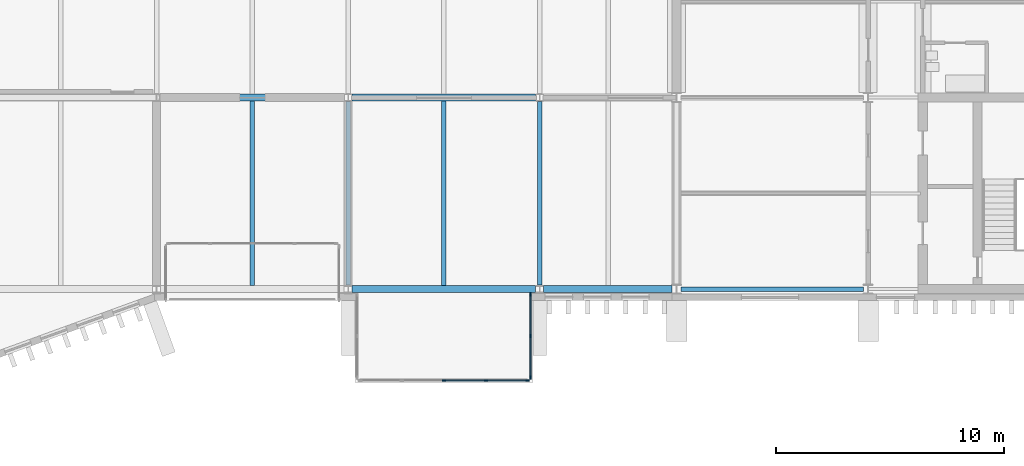
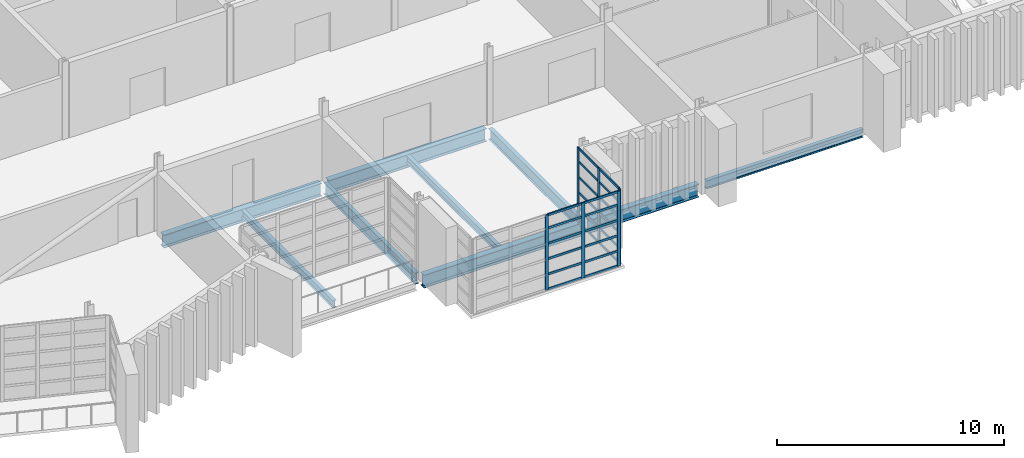
# One storey, part 40 of 100: 30 members, 9 beams, 2 elements without a shape of their own.
"""IFC4 building model written with IfcOpenShell, lengths in metres."""

from ifc_helpers import new_model, si_unit, direction, frame, origin, origin_2d, place, context, subcontext, project, spatial, rectangle, i_section, extrude, material, layer, layer_set, material_profile, profile_set, type_object, element, aggregate, save


model = new_model("IFC4")

# Units and contexts
model_context = context("Model", 3, precision=1e-05, world=origin(), true_north=direction((0.0, 1.0)))
body_context = subcontext(model_context, "Body", "Model", "MODEL_VIEW")
ifc_project = project(units=[si_unit("LENGTHUNIT", "METRE"), si_unit("AREAUNIT", "SQUARE_METRE"), si_unit("VOLUMEUNIT", "CUBIC_METRE"), si_unit("PLANEANGLEUNIT", "RADIAN"), si_unit("MASSUNIT", "GRAM", prefix="KILO")], contexts=[model_context])

# Site, building, storey
site_placement = place(None, origin())
site = spatial("IfcSite", under=ifc_project, at=site_placement, CompositionType="ELEMENT")
building_placement = place(site_placement, origin())
building = spatial("IfcBuilding", under=site, at=building_placement, Name="Cresset Court Congress Hotel", CompositionType="ELEMENT")
storey_placement = place(building_placement, frame((0.0, 0.0, 10.199951171875)))
storey = spatial("IfcBuildingStorey", under=building, at=storey_placement, Name="L02", CompositionType="ELEMENT", Elevation=10.199951171875)

# Curtain wall, members
ifc_material_1 = material(Name="Aluminium frame with double glazing", Category="aluminium")
ifc_layer = layer(ifc_material_1, 0.199951171875)
ifc_layer_set = layer_set([ifc_layer], Name="Glazed box curtain wall 1680 module")
curtain_wall_type = type_object("IfcCurtainWallType", Name="Glazed box curtain wall 1680 module", PredefinedType="NOTDEFINED", material=ifc_layer_set)
curtain_wall_1_placement = place(storey_placement, origin())
curtain_wall_1 = element("IfcCurtainWall", 1, at=curtain_wall_1_placement, inside=storey, type_object=curtain_wall_type, Name="Glazed box S0222 front", PredefinedType="NOTDEFINED")
ifc_material_2 = material(Name="Aluminium", Category="aluminium")
ifc_material_profile_1 = material_profile(ifc_material_2, rectangle(XDim=0.06005859375, YDim=0.159912109375, at=origin_2d()), Name="Box mullion 60x160")
ifc_profile_set_1 = profile_set([ifc_material_profile_1], Name="Aluminium")
member_type_1 = type_object("IfcMemberType", Name="Box mullion 60x160", PredefinedType="MULLION", material=ifc_profile_set_1)
member_1_placement = place(storey_placement, frame((147.0, -4.0, 0.0), z_axis=(0.0, 0.0, 1.0), x_axis=(0.0, 1.0, 0.0)))
member_1 = element("IfcMember", 2, at=member_1_placement, type_object=member_type_1, Name="B-X1 mullion 3", PredefinedType="MULLION", context=body_context, shape_type="SweptSolid", body=[
    extrude(rectangle(XDim=0.06005859375, YDim=0.159912109375, at=origin_2d()), origin(), (0.0, 0.0, 1.0), 4.050048828125),
])
member_2_placement = place(storey_placement, frame((148.85009765625, -4.0, 0.0), z_axis=(0.0, 0.0, 1.0), x_axis=(0.0, 1.0, 0.0)))
member_2 = element("IfcMember", 3, at=member_2_placement, type_object=member_type_1, Name="B-X1 mullion 4", PredefinedType="MULLION", context=body_context, shape_type="SweptSolid", body=[
    extrude(rectangle(XDim=0.06005859375, YDim=0.159912109375, at=origin_2d()), origin(), (0.0, 0.0, 1.0), 4.050048828125),
])
member_3_placement = place(storey_placement, frame((150.669921875, -4.0, 0.0), z_axis=(0.0, 0.0, 1.0), x_axis=(0.0, 1.0, 0.0)))
member_3 = element("IfcMember", 4, at=member_3_placement, type_object=member_type_1, Name="B-X1 mullion 5", PredefinedType="MULLION", context=body_context, shape_type="SweptSolid", body=[
    extrude(rectangle(XDim=0.06005859375, YDim=0.159912109375, at=origin_2d()), origin(), (0.0, 0.0, 1.0), 4.050048828125),
])

curtain_wall_2_placement = place(storey_placement, origin())
curtain_wall_2 = element("IfcCurtainWall", 5, at=curtain_wall_2_placement, inside=storey, type_object=curtain_wall_type, Name="Glazed box S0222 side", PredefinedType="NOTDEFINED")
member_4_placement = place(storey_placement, frame((150.800048828125, -0.22998046875, 0.0), z_axis=(0.0, 0.0, 1.0), x_axis=(1.0, 0.0, 0.0)))
member_4 = element("IfcMember", 6, at=member_4_placement, type_object=member_type_1, Name="B-X1 mullion 1", PredefinedType="MULLION", context=body_context, shape_type="SweptSolid", body=[
    extrude(rectangle(XDim=0.06005859375, YDim=0.159912109375, at=origin_2d()), origin(), (0.0, 0.0, 1.0), 4.050048828125),
])
member_5_placement = place(storey_placement, frame((150.800048828125, -2.050048828125, 0.0), z_axis=(0.0, 0.0, 1.0), x_axis=(1.0, 0.0, 0.0)))
member_5 = element("IfcMember", 7, at=member_5_placement, type_object=member_type_1, Name="B-X1 mullion 2", PredefinedType="MULLION", context=body_context, shape_type="SweptSolid", body=[
    extrude(rectangle(XDim=0.06005859375, YDim=0.159912109375, at=origin_2d()), origin(), (0.0, 0.0, 1.0), 4.050048828125),
])
member_6_placement = place(storey_placement, frame((150.800048828125, -3.8701171875, 0.0), z_axis=(0.0, 0.0, 1.0), x_axis=(1.0, 0.0, 0.0)))
member_6 = element("IfcMember", 8, at=member_6_placement, type_object=member_type_1, Name="B-X1 mullion 3", PredefinedType="MULLION", context=body_context, shape_type="SweptSolid", body=[
    extrude(rectangle(XDim=0.06005859375, YDim=0.159912109375, at=origin_2d()), origin(), (0.0, 0.0, 1.0), 4.050048828125),
])

# Member
ifc_material_3 = material(Name="Aluminium", Category="aluminium")
ifc_material_profile_2 = material_profile(ifc_material_3, rectangle(XDim=0.06005859375, YDim=0.1201171875, at=origin_2d()), Name="Box transom 60x120")
ifc_profile_set_2 = profile_set([ifc_material_profile_2], Name="Aluminium")
member_type_2 = type_object("IfcMemberType", Name="Box transom 60x120", PredefinedType="USERDEFINED", material=ifc_profile_set_2)
member_7_placement = place(storey_placement, frame((147.030029296875, -4.0, 0.030029296875), z_axis=(1.0, 0.0, 0.0), x_axis=(0.0, 1.0, 0.0)))
member_7 = element("IfcMember", 9, at=member_7_placement, type_object=member_type_2, Name="B-X1 transom 3.1", ObjectType="TRANSOM", PredefinedType="USERDEFINED", context=body_context, shape_type="SweptSolid", body=[
    extrude(rectangle(XDim=0.06005859375, YDim=0.1201171875, at=origin_2d()), origin(), (0.0, 0.0, 1.0), 1.7900390625),
])

member_8_placement = place(storey_placement, frame((147.030029296875, -4.0, 0.830078125), z_axis=(1.0, 0.0, 0.0), x_axis=(0.0, 1.0, 0.0)))
member_8 = element("IfcMember", 10, at=member_8_placement, type_object=member_type_2, Name="B-X1 transom 3.2", ObjectType="TRANSOM", PredefinedType="USERDEFINED", context=body_context, shape_type="SweptSolid", body=[
    extrude(rectangle(XDim=0.06005859375, YDim=0.1201171875, at=origin_2d()), origin(), (0.0, 0.0, 1.0), 1.7900390625),
])

member_9_placement = place(storey_placement, frame((147.030029296875, -4.0, 1.66015625), z_axis=(1.0, 0.0, 0.0), x_axis=(0.0, 1.0, 0.0)))
member_9 = element("IfcMember", 11, at=member_9_placement, type_object=member_type_2, Name="B-X1 transom 3.3", ObjectType="TRANSOM", PredefinedType="USERDEFINED", context=body_context, shape_type="SweptSolid", body=[
    extrude(rectangle(XDim=0.06005859375, YDim=0.1201171875, at=origin_2d()), origin(), (0.0, 0.0, 1.0), 1.7900390625),
])

member_10_placement = place(storey_placement, frame((147.030029296875, -4.0, 2.489990234375), z_axis=(1.0, 0.0, 0.0), x_axis=(0.0, 1.0, 0.0)))
member_10 = element("IfcMember", 12, at=member_10_placement, type_object=member_type_2, Name="B-X1 transom 3.4", ObjectType="TRANSOM", PredefinedType="USERDEFINED", context=body_context, shape_type="SweptSolid", body=[
    extrude(rectangle(XDim=0.06005859375, YDim=0.1201171875, at=origin_2d()), origin(), (0.0, 0.0, 1.0), 1.7900390625),
])

member_11_placement = place(storey_placement, frame((147.030029296875, -4.0, 3.320068359375), z_axis=(1.0, 0.0, 0.0), x_axis=(0.0, 1.0, 0.0)))
member_11 = element("IfcMember", 13, at=member_11_placement, type_object=member_type_2, Name="B-X1 transom 3.5", ObjectType="TRANSOM", PredefinedType="USERDEFINED", context=body_context, shape_type="SweptSolid", body=[
    extrude(rectangle(XDim=0.06005859375, YDim=0.1201171875, at=origin_2d()), origin(), (0.0, 0.0, 1.0), 1.7900390625),
])

member_12_placement = place(storey_placement, frame((147.030029296875, -4.0, 4.02001953125), z_axis=(1.0, 0.0, 0.0), x_axis=(0.0, 1.0, 0.0)))
member_12 = element("IfcMember", 14, at=member_12_placement, type_object=member_type_2, Name="B-X1 transom 3.6", ObjectType="TRANSOM", PredefinedType="USERDEFINED", context=body_context, shape_type="SweptSolid", body=[
    extrude(rectangle(XDim=0.06005859375, YDim=0.1201171875, at=origin_2d()), origin(), (0.0, 0.0, 1.0), 1.7900390625),
])

member_13_placement = place(storey_placement, frame((148.8798828125, -4.0, 0.030029296875), z_axis=(1.0, 0.0, 0.0), x_axis=(0.0, 1.0, 0.0)))
member_13 = element("IfcMember", 15, at=member_13_placement, type_object=member_type_2, Name="B-X1 transom 4.1", ObjectType="TRANSOM", PredefinedType="USERDEFINED", context=body_context, shape_type="SweptSolid", body=[
    extrude(rectangle(XDim=0.06005859375, YDim=0.1201171875, at=origin_2d()), origin(), (0.0, 0.0, 1.0), 1.760009765625),
])

member_14_placement = place(storey_placement, frame((148.8798828125, -4.0, 0.830078125), z_axis=(1.0, 0.0, 0.0), x_axis=(0.0, 1.0, 0.0)))
member_14 = element("IfcMember", 16, at=member_14_placement, type_object=member_type_2, Name="B-X1 transom 4.2", ObjectType="TRANSOM", PredefinedType="USERDEFINED", context=body_context, shape_type="SweptSolid", body=[
    extrude(rectangle(XDim=0.06005859375, YDim=0.1201171875, at=origin_2d()), origin(), (0.0, 0.0, 1.0), 1.760009765625),
])

member_15_placement = place(storey_placement, frame((148.8798828125, -4.0, 1.66015625), z_axis=(1.0, 0.0, 0.0), x_axis=(0.0, 1.0, 0.0)))
member_15 = element("IfcMember", 17, at=member_15_placement, type_object=member_type_2, Name="B-X1 transom 4.3", ObjectType="TRANSOM", PredefinedType="USERDEFINED", context=body_context, shape_type="SweptSolid", body=[
    extrude(rectangle(XDim=0.06005859375, YDim=0.1201171875, at=origin_2d()), origin(), (0.0, 0.0, 1.0), 1.760009765625),
])

member_16_placement = place(storey_placement, frame((148.8798828125, -4.0, 2.489990234375), z_axis=(1.0, 0.0, 0.0), x_axis=(0.0, 1.0, 0.0)))
member_16 = element("IfcMember", 18, at=member_16_placement, type_object=member_type_2, Name="B-X1 transom 4.4", ObjectType="TRANSOM", PredefinedType="USERDEFINED", context=body_context, shape_type="SweptSolid", body=[
    extrude(rectangle(XDim=0.06005859375, YDim=0.1201171875, at=origin_2d()), origin(), (0.0, 0.0, 1.0), 1.760009765625),
])

member_17_placement = place(storey_placement, frame((148.8798828125, -4.0, 3.320068359375), z_axis=(1.0, 0.0, 0.0), x_axis=(0.0, 1.0, 0.0)))
member_17 = element("IfcMember", 19, at=member_17_placement, type_object=member_type_2, Name="B-X1 transom 4.5", ObjectType="TRANSOM", PredefinedType="USERDEFINED", context=body_context, shape_type="SweptSolid", body=[
    extrude(rectangle(XDim=0.06005859375, YDim=0.1201171875, at=origin_2d()), origin(), (0.0, 0.0, 1.0), 1.760009765625),
])

member_18_placement = place(storey_placement, frame((148.8798828125, -4.0, 4.02001953125), z_axis=(1.0, 0.0, 0.0), x_axis=(0.0, 1.0, 0.0)))
member_18 = element("IfcMember", 20, at=member_18_placement, type_object=member_type_2, Name="B-X1 transom 4.6", ObjectType="TRANSOM", PredefinedType="USERDEFINED", context=body_context, shape_type="SweptSolid", body=[
    extrude(rectangle(XDim=0.06005859375, YDim=0.1201171875, at=origin_2d()), origin(), (0.0, 0.0, 1.0), 1.760009765625),
])

aggregate(curtain_wall_1, [member_1, member_2, member_3, member_7, member_8, member_9, member_10, member_11, member_12, member_13, member_14, member_15, member_16, member_17, member_18])

member_19_placement = place(storey_placement, frame((150.800048828125, -0.260009765625, 0.030029296875), z_axis=(0.0, -1.0, 0.0), x_axis=(1.0, 0.0, 0.0)))
member_19 = element("IfcMember", 21, at=member_19_placement, type_object=member_type_2, Name="B-X1 transom 1.1", ObjectType="TRANSOM", PredefinedType="USERDEFINED", context=body_context, shape_type="SweptSolid", body=[
    extrude(rectangle(XDim=0.06005859375, YDim=0.1201171875, at=origin_2d()), origin(), (0.0, 0.0, 1.0), 1.760009765625),
])

member_20_placement = place(storey_placement, frame((150.800048828125, -0.260009765625, 0.830078125), z_axis=(0.0, -1.0, 0.0), x_axis=(1.0, 0.0, 0.0)))
member_20 = element("IfcMember", 22, at=member_20_placement, type_object=member_type_2, Name="B-X1 transom 1.2", ObjectType="TRANSOM", PredefinedType="USERDEFINED", context=body_context, shape_type="SweptSolid", body=[
    extrude(rectangle(XDim=0.06005859375, YDim=0.1201171875, at=origin_2d()), origin(), (0.0, 0.0, 1.0), 1.760009765625),
])

member_21_placement = place(storey_placement, frame((150.800048828125, -0.260009765625, 1.66015625), z_axis=(0.0, -1.0, 0.0), x_axis=(1.0, 0.0, 0.0)))
member_21 = element("IfcMember", 23, at=member_21_placement, type_object=member_type_2, Name="B-X1 transom 1.3", ObjectType="TRANSOM", PredefinedType="USERDEFINED", context=body_context, shape_type="SweptSolid", body=[
    extrude(rectangle(XDim=0.06005859375, YDim=0.1201171875, at=origin_2d()), origin(), (0.0, 0.0, 1.0), 1.760009765625),
])

member_22_placement = place(storey_placement, frame((150.800048828125, -0.260009765625, 2.489990234375), z_axis=(0.0, -1.0, 0.0), x_axis=(1.0, 0.0, 0.0)))
member_22 = element("IfcMember", 24, at=member_22_placement, type_object=member_type_2, Name="B-X1 transom 1.4", ObjectType="TRANSOM", PredefinedType="USERDEFINED", context=body_context, shape_type="SweptSolid", body=[
    extrude(rectangle(XDim=0.06005859375, YDim=0.1201171875, at=origin_2d()), origin(), (0.0, 0.0, 1.0), 1.760009765625),
])

member_23_placement = place(storey_placement, frame((150.800048828125, -0.260009765625, 3.320068359375), z_axis=(0.0, -1.0, 0.0), x_axis=(1.0, 0.0, 0.0)))
member_23 = element("IfcMember", 25, at=member_23_placement, type_object=member_type_2, Name="B-X1 transom 1.5", ObjectType="TRANSOM", PredefinedType="USERDEFINED", context=body_context, shape_type="SweptSolid", body=[
    extrude(rectangle(XDim=0.06005859375, YDim=0.1201171875, at=origin_2d()), origin(), (0.0, 0.0, 1.0), 1.760009765625),
])

member_24_placement = place(storey_placement, frame((150.800048828125, -0.260009765625, 4.02001953125), z_axis=(0.0, -1.0, 0.0), x_axis=(1.0, 0.0, 0.0)))
member_24 = element("IfcMember", 26, at=member_24_placement, type_object=member_type_2, Name="B-X1 transom 1.6", ObjectType="TRANSOM", PredefinedType="USERDEFINED", context=body_context, shape_type="SweptSolid", body=[
    extrude(rectangle(XDim=0.06005859375, YDim=0.1201171875, at=origin_2d()), origin(), (0.0, 0.0, 1.0), 1.760009765625),
])

member_25_placement = place(storey_placement, frame((150.800048828125, -2.080078125, 0.030029296875), z_axis=(0.0, -1.0, 0.0), x_axis=(1.0, 0.0, 0.0)))
member_25 = element("IfcMember", 27, at=member_25_placement, type_object=member_type_2, Name="B-X1 transom 2.1", ObjectType="TRANSOM", PredefinedType="USERDEFINED", context=body_context, shape_type="SweptSolid", body=[
    extrude(rectangle(XDim=0.06005859375, YDim=0.1201171875, at=origin_2d()), origin(), (0.0, 0.0, 1.0), 1.760009765625),
])

member_26_placement = place(storey_placement, frame((150.800048828125, -2.080078125, 0.830078125), z_axis=(0.0, -1.0, 0.0), x_axis=(1.0, 0.0, 0.0)))
member_26 = element("IfcMember", 28, at=member_26_placement, type_object=member_type_2, Name="B-X1 transom 2.2", ObjectType="TRANSOM", PredefinedType="USERDEFINED", context=body_context, shape_type="SweptSolid", body=[
    extrude(rectangle(XDim=0.06005859375, YDim=0.1201171875, at=origin_2d()), origin(), (0.0, 0.0, 1.0), 1.760009765625),
])

member_27_placement = place(storey_placement, frame((150.800048828125, -2.080078125, 1.66015625), z_axis=(0.0, -1.0, 0.0), x_axis=(1.0, 0.0, 0.0)))
member_27 = element("IfcMember", 29, at=member_27_placement, type_object=member_type_2, Name="B-X1 transom 2.3", ObjectType="TRANSOM", PredefinedType="USERDEFINED", context=body_context, shape_type="SweptSolid", body=[
    extrude(rectangle(XDim=0.06005859375, YDim=0.1201171875, at=origin_2d()), origin(), (0.0, 0.0, 1.0), 1.760009765625),
])

member_28_placement = place(storey_placement, frame((150.800048828125, -2.080078125, 2.489990234375), z_axis=(0.0, -1.0, 0.0), x_axis=(1.0, 0.0, 0.0)))
member_28 = element("IfcMember", 30, at=member_28_placement, type_object=member_type_2, Name="B-X1 transom 2.4", ObjectType="TRANSOM", PredefinedType="USERDEFINED", context=body_context, shape_type="SweptSolid", body=[
    extrude(rectangle(XDim=0.06005859375, YDim=0.1201171875, at=origin_2d()), origin(), (0.0, 0.0, 1.0), 1.760009765625),
])

member_29_placement = place(storey_placement, frame((150.800048828125, -2.080078125, 3.320068359375), z_axis=(0.0, -1.0, 0.0), x_axis=(1.0, 0.0, 0.0)))
member_29 = element("IfcMember", 31, at=member_29_placement, type_object=member_type_2, Name="B-X1 transom 2.5", ObjectType="TRANSOM", PredefinedType="USERDEFINED", context=body_context, shape_type="SweptSolid", body=[
    extrude(rectangle(XDim=0.06005859375, YDim=0.1201171875, at=origin_2d()), origin(), (0.0, 0.0, 1.0), 1.760009765625),
])

member_30_placement = place(storey_placement, frame((150.800048828125, -2.080078125, 4.02001953125), z_axis=(0.0, -1.0, 0.0), x_axis=(1.0, 0.0, 0.0)))
member_30 = element("IfcMember", 32, at=member_30_placement, type_object=member_type_2, Name="B-X1 transom 2.6", ObjectType="TRANSOM", PredefinedType="USERDEFINED", context=body_context, shape_type="SweptSolid", body=[
    extrude(rectangle(XDim=0.06005859375, YDim=0.1201171875, at=origin_2d()), origin(), (0.0, 0.0, 1.0), 1.760009765625),
])

aggregate(curtain_wall_2, [member_4, member_5, member_6, member_19, member_20, member_21, member_22, member_23, member_24, member_25, member_26, member_27, member_28, member_29, member_30])

# Beams
ifc_material_4 = material(Name="Structural steel Q355B", Category="steel")
ifc_material_profile_3 = material_profile(ifc_material_4, i_section(OverallWidth=0.198974609375, OverallDepth=0.446044921875, WebThickness=0.008056640625, FlangeThickness=0.011962890625, FilletRadius=0.012939453125, at=origin_2d()), Name="HN446x199x8x12")
ifc_profile_set_3 = profile_set([ifc_material_profile_3], Name="Structural steel Q355B")
beam_type_1 = type_object("IfcBeamType", Name="Steel beam HN446x199x8x12", PredefinedType="BEAM", material=ifc_profile_set_3)
beam_1_placement = place(storey_placement, frame((157.403564453125, 0.0, -0.373046875), z_axis=(1.0, 0.0, 0.0), x_axis=(0.0, 1.0, 0.0)))
element("IfcBeam", 33, at=beam_1_placement, inside=storey, type_object=beam_type_1, Name="A.bm.L02.W.frame0.0", PredefinedType="BEAM", context=body_context, shape_type="SweptSolid", body=[
    extrude(i_section(OverallWidth=0.198974609375, OverallDepth=0.446044921875, WebThickness=0.008056640625, FlangeThickness=0.011962890625, FilletRadius=0.012939453125, at=origin_2d()), origin(), (0.0, 0.0, 1.0), 7.992919921875),
])
ifc_material_5 = material(Name="Structural steel Q355B", Category="steel")
ifc_material_profile_4 = material_profile(ifc_material_5, i_section(OverallWidth=0.199951171875, OverallDepth=0.60009765625, WebThickness=0.010986328125, FlangeThickness=0.01708984375, FilletRadius=0.012939453125, at=origin_2d()), Name="HN600x200x11x17")
ifc_profile_set_4 = profile_set([ifc_material_profile_4], Name="Structural steel Q355B")
beam_type_2 = type_object("IfcBeamType", Name="Steel beam HN600x200x11x17", PredefinedType="BEAM", material=ifc_profile_set_4)
for number, where, z_axis, x_axis, name in (
    (34, (142.800048828125, 0.175048828125, -0.449951171875), (0.0, 1.0, 0.0), (-1.0, 0.0, 0.0), "B.by.L02.18A"),
    (35, (151.199951171875, 0.175048828125, -0.449951171875), (0.0, 1.0, 0.0), (-1.0, 0.0, 0.0), "B.by.L02.19A"),
):
    element("IfcBeam", number, at=place(storey_placement, frame(where, z_axis=z_axis, x_axis=x_axis)), inside=storey, type_object=beam_type_2, Name=name, PredefinedType="BEAM", context=body_context, shape_type="SweptSolid", body=[
        extrude(i_section(OverallWidth=0.199951171875, OverallDepth=0.60009765625, WebThickness=0.010986328125, FlangeThickness=0.01708984375, FilletRadius=0.012939453125, at=origin_2d()), origin(), (0.0, 0.0, 1.0), 8.050048828125),
    ])
ifc_material_6 = material(Name="Structural steel Q355B", Category="steel")
ifc_material_profile_5 = material_profile(ifc_material_6, i_section(OverallWidth=0.300048828125, OverallDepth=0.699951171875, WebThickness=0.012939453125, FlangeThickness=0.02392578125, FilletRadius=0.01806640625, at=origin_2d()), Name="HN700x300x13x24")
ifc_profile_set_5 = profile_set([ifc_material_profile_5], Name="Structural steel Q355B")
beam_type_3 = type_object("IfcBeamType", Name="Steel beam HN700x300x13x24", PredefinedType="BEAM", material=ifc_profile_set_5)
beam_2_placement = place(storey_placement, frame((142.97509765625, 0.0, -0.5), z_axis=(1.0, 0.0, 0.0), x_axis=(0.0, 1.0, 0.0)))
element("IfcBeam", 36, at=beam_2_placement, inside=storey, type_object=beam_type_3, Name="B.bx.L02.A18", PredefinedType="BEAM", context=body_context, shape_type="SweptSolid", body=[
    extrude(i_section(OverallWidth=0.300048828125, OverallDepth=0.699951171875, WebThickness=0.012939453125, FlangeThickness=0.02392578125, FilletRadius=0.01806640625, at=origin_2d()), origin(), (0.0, 0.0, 1.0), 8.0498046875),
])
beam_3_placement = place(storey_placement, frame((151.375, 0.0, -0.5), z_axis=(1.0, 0.0, 0.0), x_axis=(0.0, 1.0, 0.0)))
element("IfcBeam", 37, at=beam_3_placement, inside=storey, type_object=beam_type_3, Name="B.bx.L02.A19", PredefinedType="BEAM", context=body_context, shape_type="SweptSolid", body=[
    extrude(i_section(OverallWidth=0.300048828125, OverallDepth=0.699951171875, WebThickness=0.012939453125, FlangeThickness=0.02392578125, FilletRadius=0.01806640625, at=origin_2d()), origin(), (0.0, 0.0, 1.0), 5.625),
])
beam_4_placement = place(storey_placement, frame((134.574951171875, 8.39990234375, -0.5), z_axis=(1.0, 0.0, 0.0), x_axis=(0.0, 1.0, 0.0)))
element("IfcBeam", 38, at=beam_4_placement, inside=storey, type_object=beam_type_3, Name="B.bx.L02.B17", PredefinedType="BEAM", context=body_context, shape_type="SweptSolid", body=[
    extrude(i_section(OverallWidth=0.300048828125, OverallDepth=0.699951171875, WebThickness=0.012939453125, FlangeThickness=0.02392578125, FilletRadius=0.01806640625, at=origin_2d()), origin(), (0.0, 0.0, 1.0), 8.050048828125),
])
beam_5_placement = place(storey_placement, frame((142.97509765625, 8.39990234375, -0.5), z_axis=(1.0, 0.0, 0.0), x_axis=(0.0, 1.0, 0.0)))
element("IfcBeam", 39, at=beam_5_placement, inside=storey, type_object=beam_type_3, Name="B.bx.L02.B18", PredefinedType="BEAM", context=body_context, shape_type="SweptSolid", body=[
    extrude(i_section(OverallWidth=0.300048828125, OverallDepth=0.699951171875, WebThickness=0.012939453125, FlangeThickness=0.02392578125, FilletRadius=0.01806640625, at=origin_2d()), origin(), (0.0, 0.0, 1.0), 8.0498046875),
])
ifc_material_7 = material(Name="Structural steel Q355B", Category="steel")
ifc_material_profile_6 = material_profile(ifc_material_7, i_section(OverallWidth=0.199951171875, OverallDepth=0.39990234375, WebThickness=0.008056640625, FlangeThickness=0.012939453125, FilletRadius=0.01611328125, at=origin_2d()), Name="HN400x200x8x13")
ifc_profile_set_6 = profile_set([ifc_material_profile_6], Name="Structural steel Q355B")
beam_type_4 = type_object("IfcBeamType", Name="Steel joist HN400x200x8x13", PredefinedType="JOIST", material=ifc_profile_set_6)
for number, where, z_axis, x_axis, name in (
    (40, (138.60009765625, 0.14990234375, -0.349853515625), (0.0, 1.0, 0.0), (-1.0, 0.0, 0.0), "B.bj.L02.17A"),
    (41, (147.0, 0.14990234375, -0.349853515625), (0.0, 1.0, 0.0), (-1.0, 0.0, 0.0), "B.bj.L02.18A"),
):
    element("IfcBeam", number, at=place(storey_placement, frame(where, z_axis=z_axis, x_axis=x_axis)), inside=storey, type_object=beam_type_4, Name=name, PredefinedType="JOIST", context=body_context, shape_type="SweptSolid", body=[
        extrude(i_section(OverallWidth=0.199951171875, OverallDepth=0.39990234375, WebThickness=0.008056640625, FlangeThickness=0.012939453125, FilletRadius=0.01611328125, at=origin_2d()), origin(), (0.0, 0.0, 1.0), 8.10009765625),
    ])

save(model, "model.ifc")
